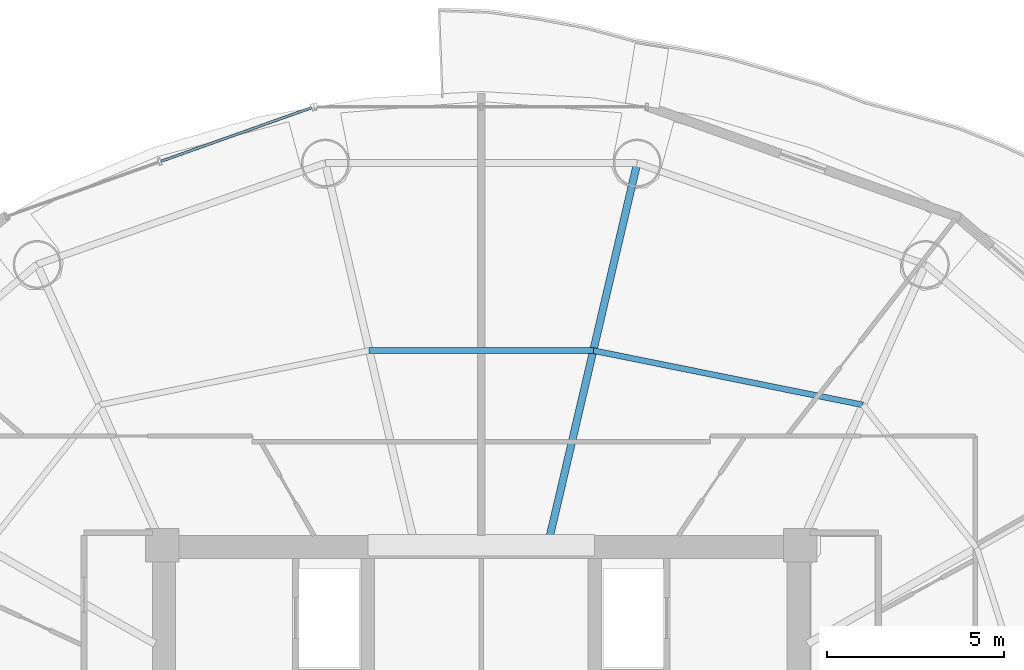
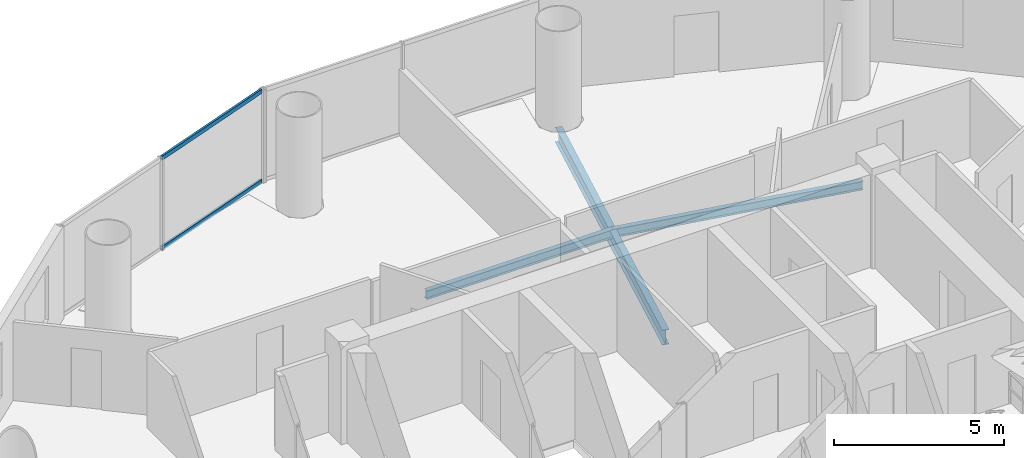
# One storey, part 15 of 26: 3 beams, 2 members, 1 element without a shape of its own.
"""IFC4 building model written with IfcOpenShell, lengths in metres."""

from ifc_helpers import new_model, si_unit, direction, frame, origin, origin_2d, place, context, subcontext, project, spatial, hollow_rectangle, i_section, extrude, source, transform, mapped, material, material_profile, profile_set, type_object, element, aggregate, save


model = new_model("IFC4")

# Units and contexts
model_context = context("Model", 3, precision=1e-05, world=origin(), true_north=direction((-0.2419218956, 0.970295726276)))
body_context = subcontext(model_context, "Body", "Model", "MODEL_VIEW")
ifc_project = project(units=[si_unit("LENGTHUNIT", "METRE"), si_unit("AREAUNIT", "SQUARE_METRE"), si_unit("VOLUMEUNIT", "CUBIC_METRE"), si_unit("PLANEANGLEUNIT", "RADIAN"), si_unit("MASSUNIT", "GRAM", prefix="KILO")], contexts=[model_context])

# Site, building, storey
site_placement = place(None, origin())
site = spatial("IfcSite", under=ifc_project, at=site_placement, CompositionType="ELEMENT")
building_placement = place(site_placement, origin())
building = spatial("IfcBuilding", under=site, at=building_placement, Name="Cobrevalo Terracotta Tower", CompositionType="ELEMENT")
storey_placement = place(building_placement, frame((0.0, 0.0, 175.0)))
storey = spatial("IfcBuildingStorey", under=building, at=storey_placement, Name="L46", CompositionType="ELEMENT", Elevation=175.0)

# Beams
ifc_material_1 = material(Name="Steel S355", Category="steel")
ifc_material_profile_1 = material_profile(ifc_material_1, i_section(OverallWidth=0.2109375, OverallDepth=0.5390625, WebThickness=0.01171875, FlangeThickness=0.018798828125, at=origin_2d()), Name="W 530x109")
ifc_profile_set_1 = profile_set([ifc_material_profile_1], Name="Steel S355")
beam_type_1 = type_object("IfcBeamType", Name="Structural Beam W 530x109 (Steel S355)", PredefinedType="BEAM", material=ifc_profile_set_1)
beam_1_placement = place(storey_placement, frame((42.399169921875, 45.58203125, -0.53955078125), z_axis=(-0.228040864186, -0.973651562039, 0.0), x_axis=(0.973651562039, -0.228040864186, 0.0)))
element("IfcBeam", 1, at=beam_1_placement, inside=storey, type_object=beam_type_1, Name="L46 radial floor girder 04", PredefinedType="BEAM", context=body_context, shape_type="SweptSolid", body=[
    extrude(i_section(OverallWidth=0.2109375, OverallDepth=0.5390625, WebThickness=0.01171875, FlangeThickness=0.018798828125, at=origin_2d()), origin(), (0.0, 0.0, 1.0), 10.86328125),
])
ifc_material_profile_2 = material_profile(ifc_material_1, i_section(OverallWidth=0.1650390625, OverallDepth=0.31005859375, WebThickness=0.005859375, FlangeThickness=0.009765625, at=origin_2d()), Name="W 310x38.7")
ifc_profile_set_2 = profile_set([ifc_material_profile_2], Name="Steel S355")
beam_type_2 = type_object("IfcBeamType", Name="Structural Joist W 310x38.7 (Steel S355)", PredefinedType="JOIST", material=ifc_profile_set_2)
beam_2_placement = place(storey_placement, frame((48.76416015625, 38.76123046875, -0.425048828125), z_axis=(-0.980293928329, 0.197544461026, 0.0), x_axis=(-0.197544461026, -0.980293928329, 0.0)))
element("IfcBeam", 2, at=beam_2_placement, inside=storey, type_object=beam_type_2, Name="L46 circumferential secondary floor joist 03", PredefinedType="JOIST", context=body_context, shape_type="SweptSolid", body=[
    extrude(i_section(OverallWidth=0.1650390625, OverallDepth=0.31005859375, WebThickness=0.005859375, FlangeThickness=0.009765625, at=origin_2d()), origin(), (0.0, 0.0, 1.0), 7.75634765625),
])
beam_3_placement = place(storey_placement, frame((41.16064453125, 40.29345703125, -0.425048828125), z_axis=(-1.0, 0.0, 0.0), x_axis=(0.0, -1.0, 0.0)))
element("IfcBeam", 3, at=beam_3_placement, inside=storey, type_object=beam_type_2, Name="L46 circumferential secondary floor joist 04", PredefinedType="JOIST", context=body_context, shape_type="SweptSolid", body=[
    extrude(i_section(OverallWidth=0.1650390625, OverallDepth=0.31005859375, WebThickness=0.005859375, FlangeThickness=0.009765625, at=origin_2d()), origin(), (0.0, 0.0, 1.0), 6.3212890625),
])

# Curtain wall, members
ifc_material_2 = material(Name="Anodized aluminium", Category="aluminium")
curtain_wall_type = type_object("IfcCurtainWallType", Name="Mid-tower high-wind unitised curtain wall CW-U2", PredefinedType="NOTDEFINED", material=ifc_material_2)
curtain_wall_placement = place(storey_placement, origin())
curtain_wall = element("IfcCurtainWall", 4, at=curtain_wall_placement, inside=storey, type_object=curtain_wall_type, Name="L46 curtain wall CW-L46-S05", PredefinedType="NOTDEFINED")
ifc_material_profile_3 = material_profile(ifc_material_2, hollow_rectangle(XDim=0.074951171875, YDim=0.14990234375, WallThickness=0.00439453125, at=origin_2d()), Name="CWT 75x150")
ifc_profile_set_3 = profile_set([ifc_material_profile_3], Name="Anodized aluminium")
member_type = type_object("IfcMemberType", Name="Tower unitised aluminium transom 75x150", PredefinedType="USERDEFINED", material=ifc_profile_set_3)
shared_shape = source(origin(), body_context, "Body", "SweptSolid", [
    extrude(hollow_rectangle(XDim=0.074951171875, YDim=0.14990234375, WallThickness=0.00439453125, at=origin_2d()), origin(), (0.0, 0.0, 1.0), 4.50390625),
])
member_1_placement = place(storey_placement, frame((33.209228515625, 47.14404296875, 0.050048828125), z_axis=(-0.94210437316, -0.335319772863, 0.0), x_axis=(0.335319772863, -0.94210437316, 0.0)))
member_1 = element("IfcMember", 5, at=member_1_placement, type_object=member_type, Name="CW-L46-S05 transom B01-T1", ObjectType="TRANSOM", PredefinedType="USERDEFINED", context=body_context, shape_type="MappedRepresentation", body=[
    mapped(shared_shape, transform((0.0, 0.0, 0.0), scale=1.0)),
])
member_2_placement = place(storey_placement, frame((33.209228515625, 47.14404296875, 3.280029296875), z_axis=(-0.94210437316, -0.335319772863, 0.0), x_axis=(0.335319772863, -0.94210437316, 0.0)))
member_2 = element("IfcMember", 6, at=member_2_placement, type_object=member_type, Name="CW-L46-S05 transom B01-T2", ObjectType="TRANSOM", PredefinedType="USERDEFINED", context=body_context, shape_type="MappedRepresentation", body=[
    mapped(shared_shape, transform((0.0, 0.0, 0.0), scale=1.0)),
])
aggregate(curtain_wall, [member_1, member_2])

save(model, "model.ifc")
